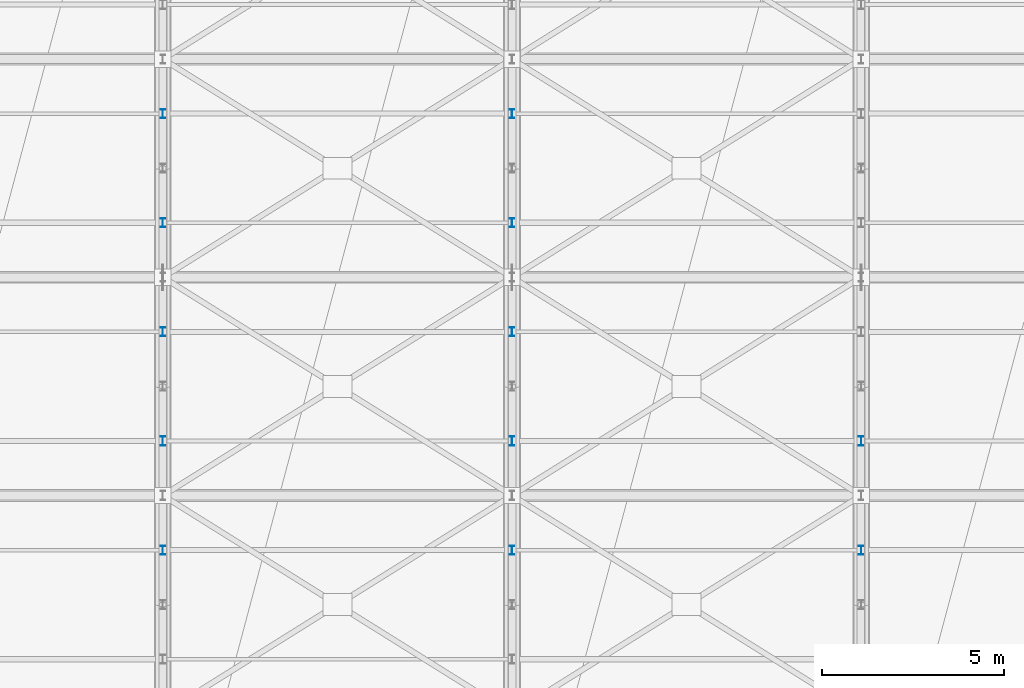
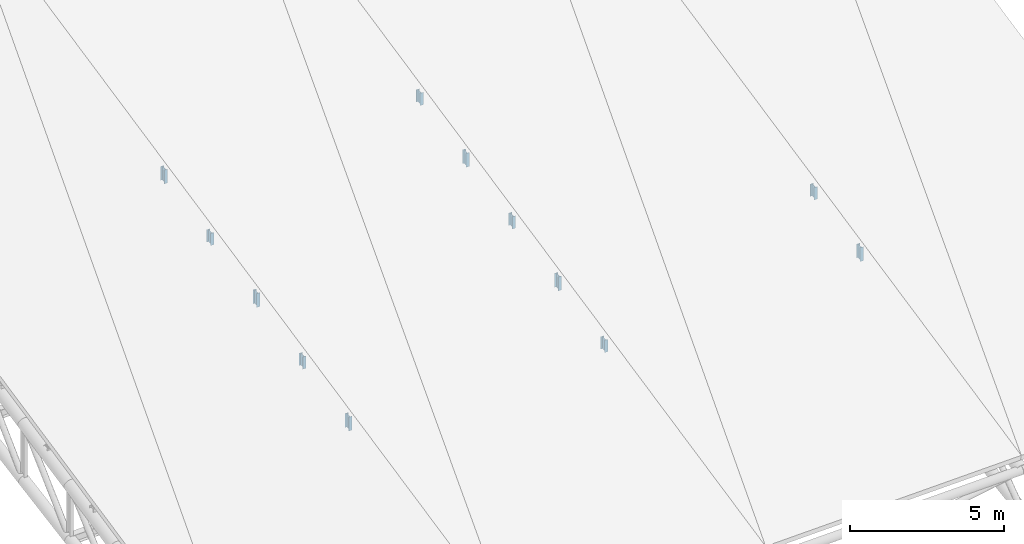
# One storey, part 83 of 109: 12 members.
"""IFC4 building model written with IfcOpenShell, lengths in metres."""

from ifc_helpers import new_model, si_unit, direction, frame, origin, origin_2d, place, context, subcontext, project, spatial, i_section, extrude, material, material_profile, profile_set, type_object, element, save


model = new_model("IFC4")

# Units and contexts
model_context = context("Model", 3, precision=1e-05, world=origin(), true_north=direction((0.0, 1.0)))
body_context = subcontext(model_context, "Body", "Model", "MODEL_VIEW")
ifc_project = project(units=[si_unit("LENGTHUNIT", "METRE"), si_unit("AREAUNIT", "SQUARE_METRE"), si_unit("VOLUMEUNIT", "CUBIC_METRE"), si_unit("PLANEANGLEUNIT", "RADIAN"), si_unit("MASSUNIT", "GRAM", prefix="KILO")], contexts=[model_context])

# Site, building, storey
site_placement = place(None, origin())
site = spatial("IfcSite", under=ifc_project, at=site_placement, CompositionType="ELEMENT")
building_placement = place(site_placement, origin())
building = spatial("IfcBuilding", under=site, at=building_placement, Name="Suirenkawa Promenade Aquatics Centre", CompositionType="ELEMENT")
storey_placement = place(building_placement, frame((0.0, 0.0, 22.800048828125)))
storey = spatial("IfcBuildingStorey", under=building, at=storey_placement, Name="ROOF", CompositionType="ELEMENT", Elevation=22.800048828125)

# Members
ifc_material = material(Name="Steel IS 2062 E350 (Grade 350)", Category="steel")
ifc_material_profile = material_profile(ifc_material, i_section(OverallWidth=0.125, OverallDepth=0.25, WebThickness=0.007080078125, FlangeThickness=0.012939453125, at=origin_2d()), Name="ISMB 250", Category="steel")
ifc_profile_set = profile_set([ifc_material_profile], Name="Steel IS 2062 E350 (Grade 350)")
member_type = type_object("IfcMemberType", Name="MT-WEB-CHS168", PredefinedType="BRACE", material=ifc_profile_set)
member_1_placement = place(storey_placement, frame((165.60009765625, 60.89990234375, -6.782958984375), z_axis=(0.0, 0.0, 1.0), x_axis=(1.0, 0.0, 0.0)))
element("IfcMember", 1, at=member_1_placement, inside=storey, type_object=member_type, Name="ROOF TRUSS Purlin cleat post TD-03 MB-2421", PredefinedType="BRACE", context=body_context, shape_type="SweptSolid", body=[
    extrude(i_section(OverallWidth=0.125, OverallDepth=0.25, WebThickness=0.007080078125, FlangeThickness=0.012939453125, at=origin_2d()), origin(), (0.0, 0.0, 1.0), 0.5498046875),
])
member_2_placement = place(storey_placement, frame((165.60009765625, 63.89990234375, -6.150146484375), z_axis=(0.0, 0.0, 1.0), x_axis=(1.0, 0.0, 0.0)))
element("IfcMember", 2, at=member_2_placement, inside=storey, type_object=member_type, Name="ROOF TRUSS Purlin cleat post TD-03 MB-2424", PredefinedType="BRACE", context=body_context, shape_type="SweptSolid", body=[
    extrude(i_section(OverallWidth=0.125, OverallDepth=0.25, WebThickness=0.007080078125, FlangeThickness=0.012939453125, at=origin_2d()), origin(), (0.0, 0.0, 1.0), 0.486083984375),
])
member_3_placement = place(storey_placement, frame((165.60009765625, 66.89990234375, -5.51708984375), z_axis=(0.0, 0.0, 1.0), x_axis=(1.0, 0.0, 0.0)))
element("IfcMember", 3, at=member_3_placement, inside=storey, type_object=member_type, Name="ROOF TRUSS Purlin cleat post TD-03 MB-2427", PredefinedType="BRACE", context=body_context, shape_type="SweptSolid", body=[
    extrude(i_section(OverallWidth=0.125, OverallDepth=0.25, WebThickness=0.007080078125, FlangeThickness=0.012939453125, at=origin_2d()), origin(), (0.0, 0.0, 1.0), 0.551025390625),
])
member_4_placement = place(storey_placement, frame((165.60009765625, 69.89990234375, -4.883056640625), z_axis=(0.0, 0.0, 1.0), x_axis=(1.0, 0.0, 0.0)))
element("IfcMember", 4, at=member_4_placement, inside=storey, type_object=member_type, Name="ROOF TRUSS Purlin cleat post TD-03 MB-2430", PredefinedType="BRACE", context=body_context, shape_type="SweptSolid", body=[
    extrude(i_section(OverallWidth=0.125, OverallDepth=0.25, WebThickness=0.007080078125, FlangeThickness=0.012939453125, at=origin_2d()), origin(), (0.0, 0.0, 1.0), 0.486083984375),
])
member_5_placement = place(storey_placement, frame((165.60009765625, 72.89990234375, -4.25), z_axis=(0.0, 0.0, 1.0), x_axis=(1.0, 0.0, 0.0)))
element("IfcMember", 5, at=member_5_placement, inside=storey, type_object=member_type, Name="ROOF TRUSS Purlin cleat post TD-03 MB-2433", PredefinedType="BRACE", context=body_context, shape_type="SweptSolid", body=[
    extrude(i_section(OverallWidth=0.125, OverallDepth=0.25, WebThickness=0.007080078125, FlangeThickness=0.012939453125, at=origin_2d()), origin(), (0.0, 0.0, 1.0), 0.551025390625),
])
member_6_placement = place(storey_placement, frame((175.199951171875, 60.89990234375, -7.032958984375), z_axis=(0.0, 0.0, 1.0), x_axis=(1.0, 0.0, 0.0)))
element("IfcMember", 6, at=member_6_placement, inside=storey, type_object=member_type, Name="ROOF TRUSS Purlin cleat post TD-03 MB-2482", PredefinedType="BRACE", context=body_context, shape_type="SweptSolid", body=[
    extrude(i_section(OverallWidth=0.125, OverallDepth=0.25, WebThickness=0.007080078125, FlangeThickness=0.012939453125, at=origin_2d()), origin(), (0.0, 0.0, 1.0), 0.48583984375),
])
member_7_placement = place(storey_placement, frame((175.199951171875, 63.89990234375, -6.400146484375), z_axis=(0.0, 0.0, 1.0), x_axis=(1.0, 0.0, 0.0)))
element("IfcMember", 7, at=member_7_placement, inside=storey, type_object=member_type, Name="ROOF TRUSS Purlin cleat post TD-03 MB-2484", PredefinedType="BRACE", context=body_context, shape_type="SweptSolid", body=[
    extrude(i_section(OverallWidth=0.125, OverallDepth=0.25, WebThickness=0.007080078125, FlangeThickness=0.012939453125, at=origin_2d()), origin(), (0.0, 0.0, 1.0), 0.551025390625),
])
member_8_placement = place(storey_placement, frame((175.199951171875, 66.89990234375, -5.76708984375), z_axis=(0.0, 0.0, 1.0), x_axis=(1.0, 0.0, 0.0)))
element("IfcMember", 8, at=member_8_placement, inside=storey, type_object=member_type, Name="ROOF TRUSS Purlin cleat post TD-03 MB-2486", PredefinedType="BRACE", context=body_context, shape_type="SweptSolid", body=[
    extrude(i_section(OverallWidth=0.125, OverallDepth=0.25, WebThickness=0.007080078125, FlangeThickness=0.012939453125, at=origin_2d()), origin(), (0.0, 0.0, 1.0), 0.487060546875),
])
member_9_placement = place(storey_placement, frame((175.199951171875, 69.89990234375, -5.133056640625), z_axis=(0.0, 0.0, 1.0), x_axis=(1.0, 0.0, 0.0)))
element("IfcMember", 9, at=member_9_placement, inside=storey, type_object=member_type, Name="ROOF TRUSS Purlin cleat post TD-03 MB-2488", PredefinedType="BRACE", context=body_context, shape_type="SweptSolid", body=[
    extrude(i_section(OverallWidth=0.125, OverallDepth=0.25, WebThickness=0.007080078125, FlangeThickness=0.012939453125, at=origin_2d()), origin(), (0.0, 0.0, 1.0), 0.550048828125),
])
member_10_placement = place(storey_placement, frame((175.199951171875, 72.89990234375, -4.5), z_axis=(0.0, 0.0, 1.0), x_axis=(1.0, 0.0, 0.0)))
element("IfcMember", 10, at=member_10_placement, inside=storey, type_object=member_type, Name="ROOF TRUSS Purlin cleat post TD-03 MB-2490", PredefinedType="BRACE", context=body_context, shape_type="SweptSolid", body=[
    extrude(i_section(OverallWidth=0.125, OverallDepth=0.25, WebThickness=0.007080078125, FlangeThickness=0.012939453125, at=origin_2d()), origin(), (0.0, 0.0, 1.0), 0.48583984375),
])
member_11_placement = place(storey_placement, frame((184.800048828125, 60.89990234375, -6.782958984375), z_axis=(0.0, 0.0, 1.0), x_axis=(1.0, 0.0, 0.0)))
element("IfcMember", 11, at=member_11_placement, inside=storey, type_object=member_type, Name="ROOF TRUSS Purlin cleat post TD-03 MB-2526", PredefinedType="BRACE", context=body_context, shape_type="SweptSolid", body=[
    extrude(i_section(OverallWidth=0.125, OverallDepth=0.25, WebThickness=0.007080078125, FlangeThickness=0.012939453125, at=origin_2d()), origin(), (0.0, 0.0, 1.0), 0.5498046875),
])
member_12_placement = place(storey_placement, frame((184.800048828125, 63.89990234375, -6.150146484375), z_axis=(0.0, 0.0, 1.0), x_axis=(1.0, 0.0, 0.0)))
element("IfcMember", 12, at=member_12_placement, inside=storey, type_object=member_type, Name="ROOF TRUSS Purlin cleat post TD-03 MB-2528", PredefinedType="BRACE", context=body_context, shape_type="SweptSolid", body=[
    extrude(i_section(OverallWidth=0.125, OverallDepth=0.25, WebThickness=0.007080078125, FlangeThickness=0.012939453125, at=origin_2d()), origin(), (0.0, 0.0, 1.0), 0.486083984375),
])

save(model, "model.ifc")
